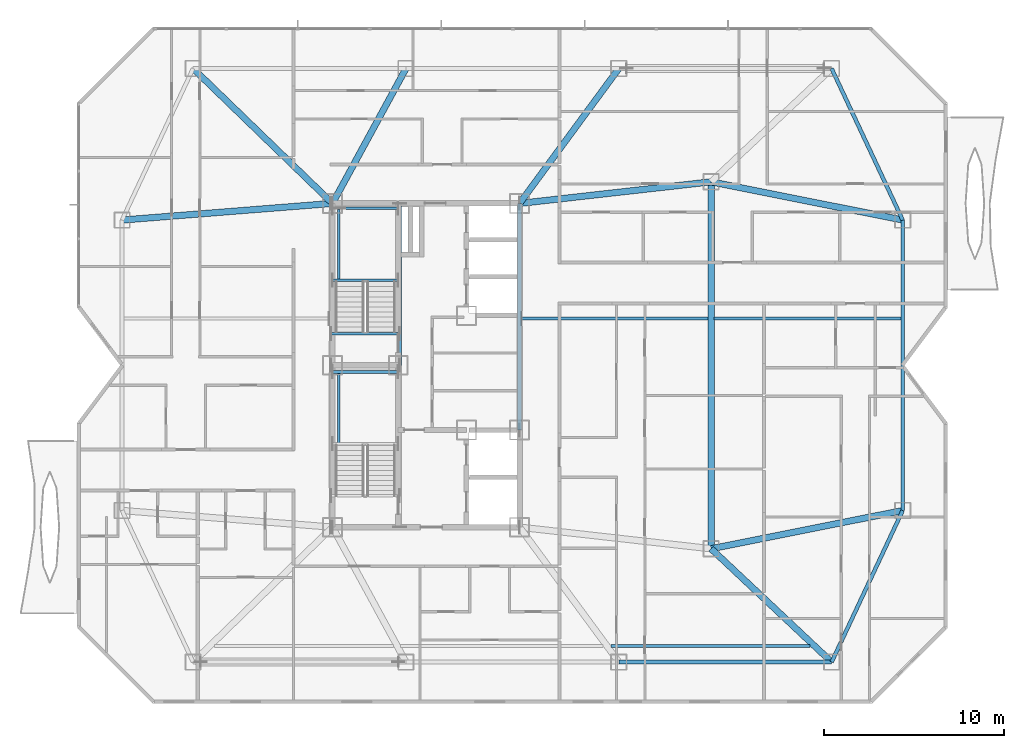
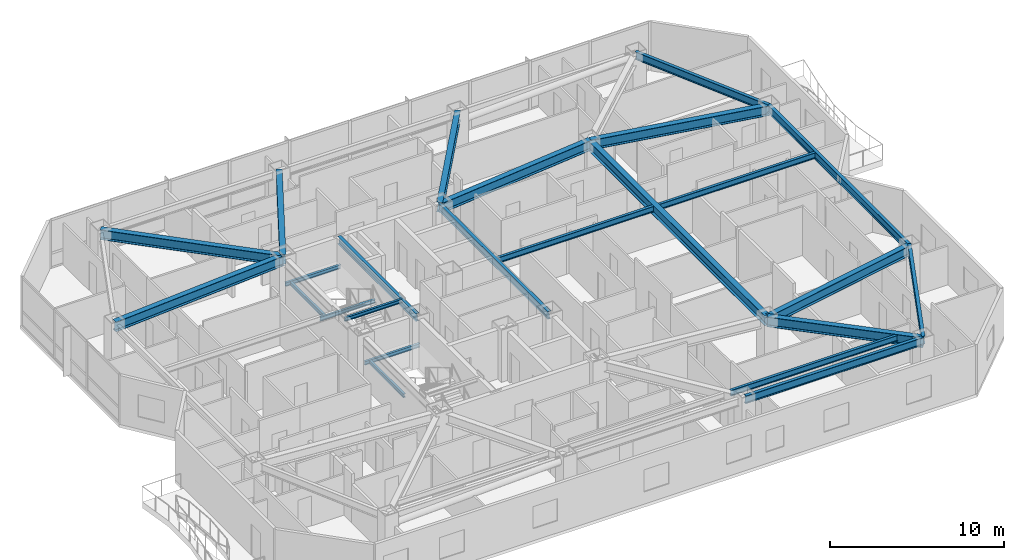
# One storey, part 4 of 21: 24 beams.
"""IFC4 building model written with IfcOpenShell, lengths in metres."""

import ifcopenshell
import ifcopenshell.guid

model = None  # the IFC model being written
_history = None  # IfcOwnerHistory: only IFC2X3 demands one
_inside = {}  # id of a spatial element -> (the spatial element, [elements in it])
_under = {}  # id of a project, library or spatial element -> (it, [spatial elements below it])
_declared = {}  # id of a project -> (the project, [libraries it declares])
_typed = {}  # id of a type object -> (the type object, [elements of that type])
_made_of = {}  # id of a material, layer set ... -> (it, [elements and type objects made of it])


def new_model(schema):
    """Start an empty IFC model of exactly this schema.

    Asked for "IFC4X3", IfcOpenShell would pick the latest addendum, in which some entities
    have other attributes; the version numbers below select the first issue.
    IFC2X3 requires an IfcOwnerHistory on every rooted entity: one is made here for all.
    """
    global model, _history
    if schema == "IFC4X3":
        model = ifcopenshell.file(schema_version=(4, 3, 0, 0))
    else:
        model = ifcopenshell.file(schema=schema)
    _inside.clear()
    _under.clear()
    _declared.clear()
    _typed.clear()
    _made_of.clear()
    _history = None
    if model.schema == "IFC2X3":
        org = make("IfcOrganization", Name="unknown")
        user = make(
            "IfcPersonAndOrganization",
            ThePerson=make("IfcPerson", FamilyName="unknown"),
            TheOrganization=org,
        )
        app = make(
            "IfcApplication",
            ApplicationDeveloper=org,
            Version="unknown",
            ApplicationFullName="unknown",
            ApplicationIdentifier="unknown",
        )
        _history = make(
            "IfcOwnerHistory",
            OwningUser=user,
            OwningApplication=app,
            ChangeAction="ADDED",
            CreationDate=0,
        )
    return model


def make(cls, **values):
    """One entity of the class cls with the attributes given. An attribute that is None is left unset."""
    return model.create_entity(
        cls, **{name: value for name, value in values.items() if value is not None}
    )


def rooted(cls, **values):
    """An entity with a GlobalId (a new one), such as an element, a storey or a relation."""
    return make(cls, GlobalId=ifcopenshell.guid.new(), OwnerHistory=_history, **values)


def si_unit(unit_type, name, prefix=None):
    """IfcSIUnit, for example si_unit("LENGTHUNIT", "METRE", prefix="MILLI")."""
    return make("IfcSIUnit", UnitType=unit_type, Prefix=prefix, Name=name)


def assignment(units):
    """IfcUnitAssignment: the units of a project."""
    return None if units is None else make("IfcUnitAssignment", Units=units)


def point(xyz):
    """IfcCartesianPoint."""
    return None if xyz is None else make("IfcCartesianPoint", Coordinates=xyz)


def direction(xyz):
    """IfcDirection."""
    return None if xyz is None else make("IfcDirection", DirectionRatios=xyz)


def frame(location, z_axis=None, x_axis=None):
    """IfcAxis2Placement3D, a coordinate frame: its origin and axes. An axis left out is left unset."""
    return make(
        "IfcAxis2Placement3D",
        Location=point(location),
        Axis=direction(z_axis),
        RefDirection=direction(x_axis),
    )


def frame_2d(location, x_axis=None):
    """IfcAxis2Placement2D, a coordinate frame in the plane: its origin and x axis."""
    return make(
        "IfcAxis2Placement2D", Location=point(location), RefDirection=direction(x_axis)
    )


def origin():
    """The frame at (0, 0, 0) with its axes left unset."""
    return frame((0.0, 0.0, 0.0))


def origin_2d():
    """The frame at (0, 0) in the plane with its x axis left unset."""
    return frame_2d((0.0, 0.0))


def place(relative_to, where):
    """IfcLocalPlacement: puts the frame where relative to a parent placement (None: the world)."""
    return make(
        "IfcLocalPlacement", PlacementRelTo=relative_to, RelativePlacement=where
    )


def context(
    kind, dimensions, precision=None, world=None, true_north=None, identifier=None
):
    """IfcGeometricRepresentationContext, for example the 3D "Model" context."""
    return make(
        "IfcGeometricRepresentationContext",
        ContextIdentifier=identifier,
        ContextType=kind,
        CoordinateSpaceDimension=dimensions,
        Precision=precision,
        WorldCoordinateSystem=world,
        TrueNorth=true_north,
    )


def subcontext(parent, identifier, kind, view, scale=None):
    """IfcGeometricRepresentationSubContext, for example "Body" below "Model"."""
    return make(
        "IfcGeometricRepresentationSubContext",
        ContextIdentifier=identifier,
        ContextType=kind,
        ParentContext=parent,
        TargetScale=scale,
        TargetView=view,
    )


def project(units=None, contexts=None):
    """IfcProject with its units and contexts."""
    return rooted(
        "IfcProject",
        Name="project",
        RepresentationContexts=contexts,
        UnitsInContext=assignment(units),
    )


def spatial(cls, under=None, at=None, **own):
    """A site, building, storey or space (cls), placed at a placement, below another one or the project."""
    s = rooted(cls, ObjectPlacement=at, **own)
    if under is not None:
        _under.setdefault(under.id(), (under, []))[1].append(s)
    return s


def profile(cls, at=None, kind="AREA", **sizes):
    """A parametric profile (cls). Its sizes go by their IFC names, for example OverallWidth=200.0."""
    return make(cls, ProfileType=kind, Position=at, **sizes)


def i_section(**sizes):
    """IfcIShapeProfileDef."""
    return profile("IfcIShapeProfileDef", **sizes)


def extrude(swept, where, along, depth):
    """IfcExtrudedAreaSolid: the profile swept, set in the frame where, extruded along a direction by depth."""
    return make(
        "IfcExtrudedAreaSolid",
        SweptArea=swept,
        Position=where,
        ExtrudedDirection=direction(along),
        Depth=depth,
    )


def shape(context_of_items, identifier, shape_type, items):
    """IfcShapeRepresentation: the items that make up one representation, for example the "Body"."""
    return make(
        "IfcShapeRepresentation",
        ContextOfItems=context_of_items,
        RepresentationIdentifier=identifier,
        RepresentationType=shape_type,
        Items=items,
    )


def material(Name=None, Category=None):
    """IfcMaterial."""
    return make("IfcMaterial", Name=Name, Category=Category)


def material_profile(
    of_material, cross_section, Name=None, Category=None, Priority=None
):
    """IfcMaterialProfile: a cross section and its material."""
    return make(
        "IfcMaterialProfile",
        Name=Name,
        Material=of_material,
        Profile=cross_section,
        Priority=Priority,
        Category=Category,
    )


def profile_set(profiles, Name=None, composite=None):
    """IfcMaterialProfileSet."""
    return make(
        "IfcMaterialProfileSet",
        Name=Name,
        MaterialProfiles=profiles,
        CompositeProfile=composite,
    )


def made_of(thing, what):
    """Note that an element or type object is made of a material, layer set ...; save() writes the relation."""
    if what is not None:
        _made_of.setdefault(what.id(), (what, []))[1].append(thing)
    return thing


def type_object(cls, material=None, **own):
    """A type object (cls), such as IfcWallType, which elements share."""
    return made_of(rooted(cls, **own), material)


def element(
    cls,
    number,
    at=None,
    inside=None,
    cuts=None,
    type_object=None,
    material=None,
    context=None,
    identifier="Body",
    shape_type=None,
    held_by="IfcProductDefinitionShape",
    body=None,
    shapes=None,
    **own,
):
    """One element of the class cls, such as IfcWall. Its Tag is "e" and its number.

    at: its placement. inside: the storey or other place that contains it. cuts: it is an
    opening in that element (IfcRelVoidsElement). A single representation is given by context,
    identifier, shape_type and body (its items); several are given by shapes. held_by: the class
    of the entity that holds the representations. save() writes the other relations.
    """
    e = rooted(cls, Tag="e%d" % number, ObjectPlacement=at, **own)
    if body is not None:
        shapes = [shape(context, identifier, shape_type, body)]
    if shapes is not None:
        e.Representation = make(held_by, Representations=shapes)
    if inside is not None:
        _inside.setdefault(inside.id(), (inside, []))[1].append(e)
    if cuts is not None:
        rooted(
            "IfcRelVoidsElement", RelatingBuildingElement=cuts, RelatedOpeningElement=e
        )
    if type_object is not None:
        _typed.setdefault(type_object.id(), (type_object, []))[1].append(e)
    return made_of(e, material)


def aggregate(whole, parts):
    """IfcRelAggregates: a whole, such as a stair, and the parts it consists of."""
    return rooted("IfcRelAggregates", RelatingObject=whole, RelatedObjects=parts)


def save(model, path):
    """Write the relations noted so far, then the file.

    IfcRelAggregates (storeys below a building ...), IfcRelContainedInSpatialStructure (elements
    in a storey), IfcRelDefinesByType, IfcRelAssociatesMaterial and IfcRelDeclares: one each for
    every whole, place, type object, material and project.
    """
    for whole, parts in _under.values():
        aggregate(whole, parts)
    for where, things in _inside.values():
        rooted(
            "IfcRelContainedInSpatialStructure",
            RelatedElements=things,
            RelatingStructure=where,
        )
    for kind, things in _typed.values():
        rooted("IfcRelDefinesByType", RelatedObjects=things, RelatingType=kind)
    for what, things in _made_of.values():
        rooted("IfcRelAssociatesMaterial", RelatedObjects=things, RelatingMaterial=what)
    for by, libraries in _declared.values():
        rooted("IfcRelDeclares", RelatingContext=by, RelatedDefinitions=libraries)
    model.write(path)


model = new_model("IFC4")

# Units and contexts
model_context = context("Model", 3, precision=1e-05, world=origin(), true_north=direction((0.0, 1.0)))
body_context = subcontext(model_context, "Body", "Model", "MODEL_VIEW")
ifc_project = project(units=[si_unit("LENGTHUNIT", "METRE"), si_unit("AREAUNIT", "SQUARE_METRE"), si_unit("VOLUMEUNIT", "CUBIC_METRE"), si_unit("PLANEANGLEUNIT", "RADIAN"), si_unit("MASSUNIT", "GRAM", prefix="KILO")], contexts=[model_context])

# Site, building, storey
site_placement = place(None, origin())
site = spatial("IfcSite", under=ifc_project, at=site_placement, CompositionType="ELEMENT")
building_placement = place(site_placement, origin())
building = spatial("IfcBuilding", under=site, at=building_placement, Name="Khamvora Tower", CompositionType="ELEMENT")
storey_placement = place(building_placement, frame((0.0, 0.0, 159.550048828125)))
storey = spatial("IfcBuildingStorey", under=building, at=storey_placement, Name="L40", CompositionType="ELEMENT", Elevation=159.550048828125)

# Beams
ifc_material = material(Name="Steel S355", Category="steel")
ifc_material_profile_1 = material_profile(ifc_material, i_section(OverallWidth=0.177978515625, OverallDepth=0.406982421875, WebThickness=0.008056640625, FlangeThickness=0.012939453125, FilletRadius=0.010009765625, at=origin_2d()), Name="W410x60")
ifc_profile_set_1 = profile_set([ifc_material_profile_1], Name="Steel S355")
beam_type_1 = type_object("IfcBeamType", Name="BM-JS-W410x60", PredefinedType="JOIST", material=ifc_profile_set_1)
beam_1_placement = place(storey_placement, frame((44.469970703125, 12.39990234375, 3.225830078125), z_axis=(1.0, 0.0, 0.0), x_axis=(0.0, 1.0, 0.0)))
element("IfcBeam", 1, at=beam_1_placement, inside=storey, type_object=beam_type_1, Name="L40 secondary floor joist 03", PredefinedType="JOIST", context=body_context, shape_type="SweptSolid", body=[
    extrude(i_section(OverallWidth=0.177978515625, OverallDepth=0.406982421875, WebThickness=0.008056640625, FlangeThickness=0.012939453125, FilletRadius=0.010009765625, at=origin_2d()), origin(), (0.0, 0.0, 1.0), 11.069091796875),
])
beam_2_placement = place(storey_placement, frame((39.4990234375, 30.60009765625, 3.225830078125), z_axis=(1.0, 0.0, 0.0), x_axis=(0.0, 1.0, 0.0)))
element("IfcBeam", 2, at=beam_2_placement, inside=storey, type_object=beam_type_1, Name="L40 secondary floor joist 05", PredefinedType="JOIST", context=body_context, shape_type="SweptSolid", body=[
    extrude(i_section(OverallWidth=0.177978515625, OverallDepth=0.406982421875, WebThickness=0.008056640625, FlangeThickness=0.012939453125, FilletRadius=0.010009765625, at=origin_2d()), origin(), (0.0, 0.0, 1.0), 10.3779296875),
])
beam_3_placement = place(storey_placement, frame((50.221923828125, 30.60009765625, 3.225830078125), z_axis=(1.0, 0.0, 0.0), x_axis=(0.0, 1.0, 0.0)))
element("IfcBeam", 3, at=beam_3_placement, inside=storey, type_object=beam_type_1, Name="L40 secondary floor joist 06", PredefinedType="JOIST", context=body_context, shape_type="SweptSolid", body=[
    extrude(i_section(OverallWidth=0.177978515625, OverallDepth=0.406982421875, WebThickness=0.008056640625, FlangeThickness=0.012939453125, FilletRadius=0.010009765625, at=origin_2d()), origin(), (0.0, 0.0, 1.0), 10.377197265625),
])
ifc_material_profile_2 = material_profile(ifc_material, i_section(OverallWidth=0.14697265625, OverallDepth=0.261962890625, WebThickness=0.007080078125, FlangeThickness=0.010986328125, FilletRadius=0.008056640625, at=origin_2d()), Name="W250x39")
ifc_profile_set_2 = profile_set([ifc_material_profile_2], Name="Steel S355")
beam_type_2 = type_object("IfcBeamType", Name="BM-LN-W250x39", PredefinedType="LINTEL", material=ifc_profile_set_2)
beam_4_placement = place(storey_placement, frame((29.0, 27.6298828125, 1.493896484375), z_axis=(1.0, 0.0, 0.0), x_axis=(0.0, 1.0, 0.0)))
element("IfcBeam", 4, at=beam_4_placement, inside=storey, type_object=beam_type_2, Name="L40 ST-01 half-landing support beam 1.2", PredefinedType="LINTEL", context=body_context, shape_type="SweptSolid", body=[
    extrude(i_section(OverallWidth=0.14697265625, OverallDepth=0.261962890625, WebThickness=0.007080078125, FlangeThickness=0.010986328125, FilletRadius=0.008056640625, at=origin_2d()), origin(), (0.0, 0.0, 1.0), 3.64990234375),
])
beam_5_placement = place(storey_placement, frame((29.35009765625, 23.635009765625, 1.493896484375), z_axis=(0.0, 1.0, 0.0), x_axis=(-1.0, 0.0, 0.0)))
element("IfcBeam", 5, at=beam_5_placement, inside=storey, type_object=beam_type_2, Name="L40 ST-01 half-landing edge stringer 1", PredefinedType="LINTEL", context=body_context, shape_type="SweptSolid", body=[
    extrude(i_section(OverallWidth=0.14697265625, OverallDepth=0.261962890625, WebThickness=0.007080078125, FlangeThickness=0.010986328125, FilletRadius=0.008056640625, at=origin_2d()), origin(), (0.0, 0.0, 1.0), 3.994873046875),
])
for number, where, z_axis, x_axis, name in (
    (6, (29.0, 32.735107421875, 1.493896484375), (1.0, 0.0, 0.0), (0.0, 1.0, 0.0), "L40 ST-02 half-landing support beam 1.1"),
    (7, (29.0, 36.72998046875, 1.493896484375), (1.0, 0.0, 0.0), (0.0, 1.0, 0.0), "L40 ST-02 half-landing support beam 1.2"),
):
    element("IfcBeam", number, at=place(storey_placement, frame(where, z_axis=z_axis, x_axis=x_axis)), inside=storey, type_object=beam_type_2, Name=name, PredefinedType="LINTEL", context=body_context, shape_type="SweptSolid", body=[
        extrude(i_section(OverallWidth=0.14697265625, OverallDepth=0.261962890625, WebThickness=0.007080078125, FlangeThickness=0.010986328125, FilletRadius=0.008056640625, at=origin_2d()), origin(), (0.0, 0.0, 1.0), 3.64990234375),
    ])
beam_6_placement = place(storey_placement, frame((29.35009765625, 32.735107421875, 1.493896484375), z_axis=(0.0, 1.0, 0.0), x_axis=(-1.0, 0.0, 0.0)))
element("IfcBeam", 8, at=beam_6_placement, inside=storey, type_object=beam_type_2, Name="L40 ST-02 half-landing edge stringer 1", PredefinedType="LINTEL", context=body_context, shape_type="SweptSolid", body=[
    extrude(i_section(OverallWidth=0.14697265625, OverallDepth=0.261962890625, WebThickness=0.007080078125, FlangeThickness=0.010986328125, FilletRadius=0.008056640625, at=origin_2d()), origin(), (0.0, 0.0, 1.0), 3.994873046875),
])
beam_7_placement = place(storey_placement, frame((28.89990234375, 29.75, 3.303955078125), z_axis=(1.0, 0.0, 0.0), x_axis=(0.0, 1.0, 0.0)))
element("IfcBeam", 9, at=beam_7_placement, inside=storey, type_object=beam_type_2, Name="L40 exit stair ST-02 landing trimmer beam", PredefinedType="LINTEL", context=body_context, shape_type="SweptSolid", body=[
    extrude(i_section(OverallWidth=0.14697265625, OverallDepth=0.261962890625, WebThickness=0.007080078125, FlangeThickness=0.010986328125, FilletRadius=0.008056640625, at=origin_2d()), origin(), (0.0, 0.0, 1.0), 3.830078125),
])
ifc_material_profile_3 = material_profile(ifc_material, i_section(OverallWidth=0.35498046875, OverallDepth=0.695068359375, WebThickness=0.014892578125, FlangeThickness=0.02490234375, FilletRadius=0.01611328125, at=origin_2d()), Name="W690x217")
ifc_profile_set_3 = profile_set([ifc_material_profile_3], Name="Steel S355")
beam_type_3 = type_object("IfcBeamType", Name="BM-PG-W690x217", PredefinedType="BEAM", material=ifc_profile_set_3)
beam_8_placement = place(storey_placement, frame((50.050048828125, 17.800048828125, 3.08203125), z_axis=(0.0, 1.0, 0.0), x_axis=(-1.0, 0.0, 0.0)))
element("IfcBeam", 10, at=beam_8_placement, inside=storey, type_object=beam_type_3, Name="L40 longitudinal frame girder M1-M2", PredefinedType="BEAM", context=body_context, shape_type="SweptSolid", body=[
    extrude(i_section(OverallWidth=0.35498046875, OverallDepth=0.695068359375, WebThickness=0.014892578125, FlangeThickness=0.02490234375, FilletRadius=0.01611328125, at=origin_2d()), origin(), (0.0, 0.0, 1.0), 20.39990234375),
])
beam_9_placement = place(storey_placement, frame((50.050048828125, 17.800048828125, 3.08203125), z_axis=(0.728513992294, -0.685030921224, 0.0), x_axis=(0.685030921224, 0.728513992294, 0.0)))
element("IfcBeam", 11, at=beam_9_placement, inside=storey, type_object=beam_type_3, Name="L40 primary floor girder S4", PredefinedType="BEAM", context=body_context, shape_type="SweptSolid", body=[
    extrude(i_section(OverallWidth=0.35498046875, OverallDepth=0.695068359375, WebThickness=0.014892578125, FlangeThickness=0.02490234375, FilletRadius=0.01611328125, at=origin_2d()), origin(), (0.0, 0.0, 1.0), 9.19677734375),
])
beam_10_placement = place(storey_placement, frame((29.0, 37.0, 3.08203125), z_axis=(-0.718602141767, 0.695421427516, 0.0), x_axis=(-0.695421427516, -0.718602141767, 0.0)))
element("IfcBeam", 12, at=beam_10_placement, inside=storey, type_object=beam_type_3, Name="L40 primary floor girder N1", PredefinedType="BEAM", context=body_context, shape_type="SweptSolid", body=[
    extrude(i_section(OverallWidth=0.35498046875, OverallDepth=0.695068359375, WebThickness=0.014892578125, FlangeThickness=0.02490234375, FilletRadius=0.01611328125, at=origin_2d()), origin(), (0.0, 0.0, 1.0), 10.784912109375),
])
beam_11_placement = place(storey_placement, frame((29.0, 37.0, 3.08203125), z_axis=(0.478138862063, 0.878284252725, 0.0), x_axis=(-0.878284252725, 0.478138862063, 0.0)))
element("IfcBeam", 13, at=beam_11_placement, inside=storey, type_object=beam_type_3, Name="L40 primary floor girder N2", PredefinedType="BEAM", context=body_context, shape_type="SweptSolid", body=[
    extrude(i_section(OverallWidth=0.35498046875, OverallDepth=0.695068359375, WebThickness=0.014892578125, FlangeThickness=0.02490234375, FilletRadius=0.01611328125, at=origin_2d()), origin(), (0.0, 0.0, 1.0), 8.539306640625),
])
beam_12_placement = place(storey_placement, frame((39.39990234375, 37.0, 3.08203125), z_axis=(0.592556630955, 0.805528794713, 0.0), x_axis=(-0.805528794713, 0.592556630955, 0.0)))
element("IfcBeam", 14, at=beam_12_placement, inside=storey, type_object=beam_type_3, Name="L40 primary floor girder N3", PredefinedType="BEAM", context=body_context, shape_type="SweptSolid", body=[
    extrude(i_section(OverallWidth=0.35498046875, OverallDepth=0.695068359375, WebThickness=0.014892578125, FlangeThickness=0.02490234375, FilletRadius=0.01611328125, at=origin_2d()), origin(), (0.0, 0.0, 1.0), 9.310546875),
])
beam_13_placement = place(storey_placement, frame((29.0, 37.0, 3.08203125), z_axis=(-0.996888993668, -0.078818362728, 0.0), x_axis=(0.078818362728, -0.996888993668, 0.0)))
element("IfcBeam", 15, at=beam_13_placement, inside=storey, type_object=beam_type_3, Name="L40 primary floor girder W2", PredefinedType="BEAM", context=body_context, shape_type="SweptSolid", body=[
    extrude(i_section(OverallWidth=0.35498046875, OverallDepth=0.695068359375, WebThickness=0.014892578125, FlangeThickness=0.02490234375, FilletRadius=0.01611328125, at=origin_2d()), origin(), (0.0, 0.0, 1.0), 11.736572265625),
])
for number, where, z_axis, x_axis, name in (
    (16, (50.050048828125, 17.800048828125, 3.08203125), (0.980668771461, 0.195675140681, 0.0), (-0.195675140681, 0.980668771461, 0.0), "L40 primary floor girder E1"),
    (17, (50.050048828125, 38.199951171875, 3.08203125), (0.980668771461, -0.195675140681, 0.0), (0.195675140681, 0.980668771461, 0.0), "L40 primary floor girder E2"),
):
    element("IfcBeam", number, at=place(storey_placement, frame(where, z_axis=z_axis, x_axis=x_axis)), inside=storey, type_object=beam_type_3, Name=name, PredefinedType="BEAM", context=body_context, shape_type="SweptSolid", body=[
        extrude(i_section(OverallWidth=0.35498046875, OverallDepth=0.695068359375, WebThickness=0.014892578125, FlangeThickness=0.02490234375, FilletRadius=0.01611328125, at=origin_2d()), origin(), (0.0, 0.0, 1.0), 10.85986328125),
    ])
beam_14_placement = place(storey_placement, frame((39.39990234375, 37.0, 3.08203125), z_axis=(0.993712543569, 0.111961514606, 0.0), x_axis=(-0.111961514606, 0.993712543569, 0.0)))
element("IfcBeam", 18, at=beam_14_placement, inside=storey, type_object=beam_type_3, Name="L40 primary floor girder M2", PredefinedType="BEAM", context=body_context, shape_type="SweptSolid", body=[
    extrude(i_section(OverallWidth=0.35498046875, OverallDepth=0.695068359375, WebThickness=0.014892578125, FlangeThickness=0.02490234375, FilletRadius=0.01611328125, at=origin_2d()), origin(), (0.0, 0.0, 1.0), 10.717529296875),
])
ifc_material_profile_4 = material_profile(ifc_material, i_section(OverallWidth=0.2119140625, OverallDepth=0.5439453125, WebThickness=0.012939453125, FlangeThickness=0.02099609375, FilletRadius=0.013916015625, at=origin_2d()), Name="W530x123")
ifc_profile_set_4 = profile_set([ifc_material_profile_4], Name="Steel S355")
beam_type_4 = type_object("IfcBeamType", Name="BM-SP-W530x123", PredefinedType="SPANDREL", material=ifc_profile_set_4)
beam_15_placement = place(storey_placement, frame((44.9169921875, 11.5, 3.157958984375), z_axis=(1.0, 0.0, 0.0), x_axis=(0.0, 1.0, 0.0)))
element("IfcBeam", 19, at=beam_15_placement, inside=storey, type_object=beam_type_4, Name="L40 perimeter spandrel beam S3-S4", PredefinedType="SPANDREL", context=body_context, shape_type="SweptSolid", body=[
    extrude(i_section(OverallWidth=0.2119140625, OverallDepth=0.5439453125, WebThickness=0.012939453125, FlangeThickness=0.02099609375, FilletRadius=0.013916015625, at=origin_2d()), origin(), (0.0, 0.0, 1.0), 11.8330078125),
])
beam_16_placement = place(storey_placement, frame((56.75, 11.5, 3.157958984375), z_axis=(0.424496391454, 0.905429629315, 0.0), x_axis=(-0.905429629315, 0.424496391454, 0.0)))
element("IfcBeam", 20, at=beam_16_placement, inside=storey, type_object=beam_type_4, Name="L40 perimeter spandrel beam S4-E1", PredefinedType="SPANDREL", context=body_context, shape_type="SweptSolid", body=[
    extrude(i_section(OverallWidth=0.2119140625, OverallDepth=0.5439453125, WebThickness=0.012939453125, FlangeThickness=0.02099609375, FilletRadius=0.013916015625, at=origin_2d()), origin(), (0.0, 0.0, 1.0), 9.304931640625),
])
beam_17_placement = place(storey_placement, frame((60.699951171875, 19.925048828125, 3.157958984375), z_axis=(0.0, 1.0, 0.0), x_axis=(-1.0, 0.0, 0.0)))
element("IfcBeam", 21, at=beam_17_placement, inside=storey, type_object=beam_type_4, Name="L40 perimeter spandrel beam E1-E2", PredefinedType="SPANDREL", context=body_context, shape_type="SweptSolid", body=[
    extrude(i_section(OverallWidth=0.2119140625, OverallDepth=0.5439453125, WebThickness=0.012939453125, FlangeThickness=0.02099609375, FilletRadius=0.013916015625, at=origin_2d()), origin(), (0.0, 0.0, 1.0), 16.14990234375),
])
beam_18_placement = place(storey_placement, frame((60.699951171875, 36.074951171875, 3.157958984375), z_axis=(-0.424496391454, 0.905429629315, 0.0), x_axis=(-0.905429629315, -0.424496391454, 0.0)))
element("IfcBeam", 22, at=beam_18_placement, inside=storey, type_object=beam_type_4, Name="L40 perimeter spandrel beam E2-N4", PredefinedType="SPANDREL", context=body_context, shape_type="SweptSolid", body=[
    extrude(i_section(OverallWidth=0.2119140625, OverallDepth=0.5439453125, WebThickness=0.012939453125, FlangeThickness=0.02099609375, FilletRadius=0.013916015625, at=origin_2d()), origin(), (0.0, 0.0, 1.0), 9.304931640625),
])
ifc_material_profile_5 = material_profile(ifc_material, i_section(OverallWidth=0.208984375, OverallDepth=0.532958984375, WebThickness=0.010009765625, FlangeThickness=0.01611328125, FilletRadius=0.013916015625, at=origin_2d()), Name="W530x92")
ifc_profile_set_5 = profile_set([ifc_material_profile_5], Name="Steel S355")
beam_type_5 = type_object("IfcBeamType", Name="BM-SP-W530x92", PredefinedType="SPANDREL", material=ifc_profile_set_5)
beam_19_placement = place(storey_placement, frame((32.72998046875, 28.0, 3.162841796875), z_axis=(0.0, 1.0, 0.0), x_axis=(-1.0, 0.0, 0.0)))
element("IfcBeam", 23, at=beam_19_placement, inside=storey, type_object=beam_type_5, Name="L40 core spine girder M1N", PredefinedType="SPANDREL", context=body_context, shape_type="SweptSolid", body=[
    extrude(i_section(OverallWidth=0.208984375, OverallDepth=0.532958984375, WebThickness=0.010009765625, FlangeThickness=0.01611328125, FilletRadius=0.013916015625, at=origin_2d()), origin(), (0.0, 0.0, 1.0), 9.0),
])
beam_20_placement = place(storey_placement, frame((39.39990234375, 24.39990234375, 3.162841796875), z_axis=(0.0, 1.0, 0.0), x_axis=(-1.0, 0.0, 0.0)))
element("IfcBeam", 24, at=beam_20_placement, inside=storey, type_object=beam_type_5, Name="L40 core spine girder EN", PredefinedType="SPANDREL", context=body_context, shape_type="SweptSolid", body=[
    extrude(i_section(OverallWidth=0.208984375, OverallDepth=0.532958984375, WebThickness=0.010009765625, FlangeThickness=0.01611328125, FilletRadius=0.013916015625, at=origin_2d()), origin(), (0.0, 0.0, 1.0), 12.60009765625),
])

save(model, "model.ifc")
